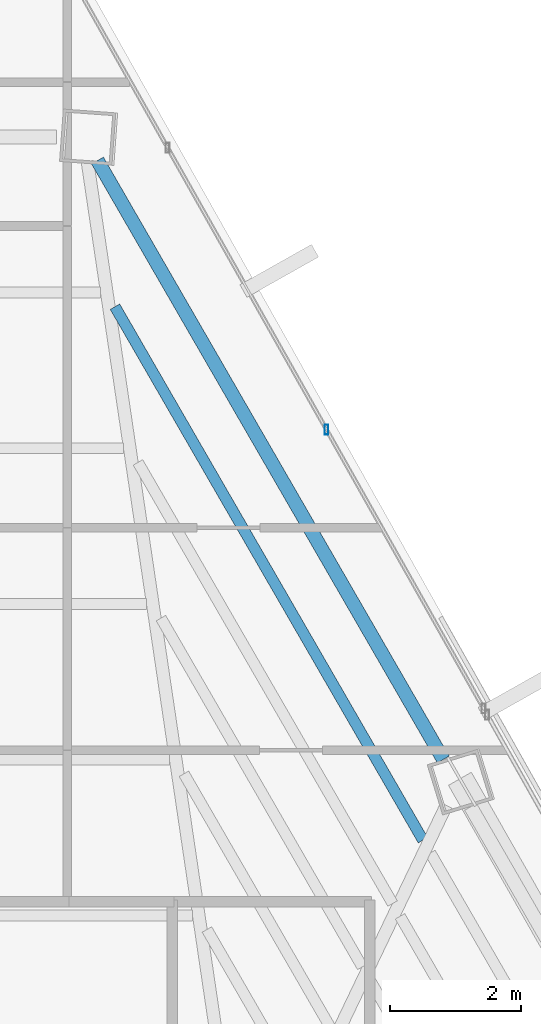
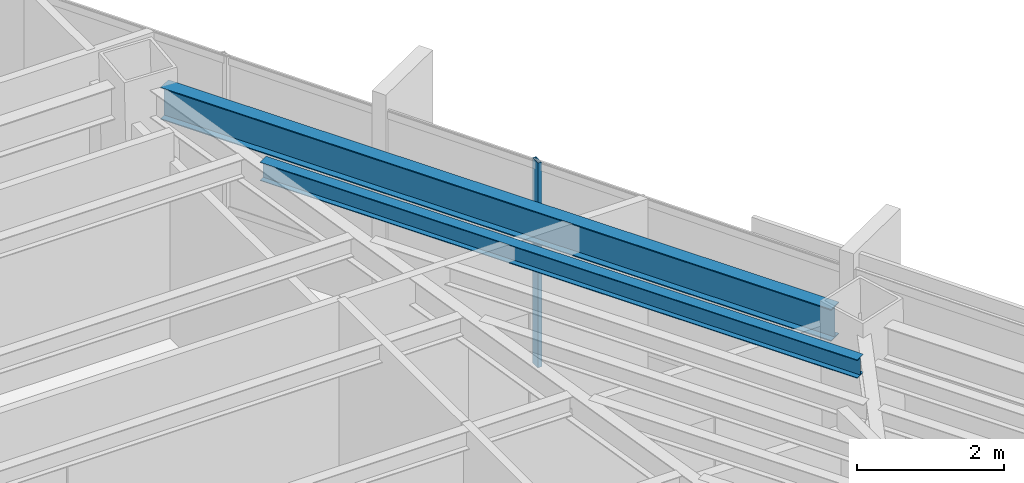
# One storey, part 32 of 42: 2 beams, 1 member, 1 element without a shape of its own.
"""IFC4 building model written with IfcOpenShell, lengths in metres."""

from ifc_helpers import new_model, si_unit, direction, frame, origin, origin_2d, place, context, subcontext, project, spatial, hollow_rectangle, i_section, extrude, source, transform, mapped, material, material_profile, profile_set, type_object, type_shapes, element, aggregate, save


model = new_model("IFC4")

# Units and contexts
model_context = context("Model", 3, precision=1e-05, world=origin(), true_north=direction((0.0, 1.0)))
body_context = subcontext(model_context, "Body", "Model", "MODEL_VIEW")
ifc_project = project(units=[si_unit("LENGTHUNIT", "METRE"), si_unit("AREAUNIT", "SQUARE_METRE"), si_unit("VOLUMEUNIT", "CUBIC_METRE"), si_unit("PLANEANGLEUNIT", "RADIAN"), si_unit("MASSUNIT", "GRAM", prefix="KILO")], contexts=[model_context])

# Site, building, storey
site_placement = place(None, origin())
site = spatial("IfcSite", under=ifc_project, at=site_placement, CompositionType="ELEMENT")
building_placement = place(site_placement, origin())
building = spatial("IfcBuilding", under=site, at=building_placement, Name="Caelisora Broadcast Tower", CompositionType="ELEMENT")
storey_placement = place(building_placement, frame((0.0, 0.0, 202.300048828125)))
storey = spatial("IfcBuildingStorey", under=building, at=storey_placement, Name="L53", CompositionType="ELEMENT", Elevation=202.300048828125)

# Beams
ifc_material_1 = material(Name="Steel Grade 350 (AS/NZS 3679.1)", Category="steel")
ifc_material_profile_1 = material_profile(ifc_material_1, i_section(OverallWidth=0.208984375, OverallDepth=0.532958984375, WebThickness=0.01025390625, FlangeThickness=0.015625, at=origin_2d()), Name="Steel Grade 350 (AS/NZS 3679.1)")
ifc_profile_set_1 = profile_set([ifc_material_profile_1], Name="Steel Grade 350 (AS/NZS 3679.1)")
beam_type_1 = type_object("IfcBeamType", Name="PG05", PredefinedType="BEAM", material=ifc_profile_set_1)
shared_shape_1 = source(origin(), body_context, "Body", "SweptSolid", [
    extrude(i_section(OverallWidth=0.208984375, OverallDepth=0.532958984375, WebThickness=0.01025390625, FlangeThickness=0.015625, at=origin_2d()), origin(), (0.0, 0.0, 1.0), 10.524169921875),
])
type_shapes(beam_type_1, [shared_shape_1])
beam_1_placement = place(storey_placement, frame((48.521240234375, 37.111328125, 3.133544921875), z_axis=(-0.500006259065, 0.866021790081, 0.0), x_axis=(-0.866021790081, -0.500006259065, 0.0)))
element("IfcBeam", 1, at=beam_1_placement, inside=storey, type_object=beam_type_1, Name="L53 beam PG05", PredefinedType="BEAM", context=body_context, shape_type="MappedRepresentation", body=[
    mapped(shared_shape_1, transform((0.0, 0.0, 0.0), scale=1.0)),
])
ifc_material_profile_2 = material_profile(ifc_material_1, i_section(OverallWidth=0.166015625, OverallDepth=0.30712890625, WebThickness=0.006591796875, FlangeThickness=0.01171875, at=origin_2d()), Name="Steel Grade 350 (AS/NZS 3679.1)")
ifc_profile_set_2 = profile_set([ifc_material_profile_2], Name="Steel Grade 350 (AS/NZS 3679.1)")
beam_type_2 = type_object("IfcBeamType", Name="SB03", PredefinedType="JOIST", material=ifc_profile_set_2)
shared_shape_2 = source(origin(), body_context, "Body", "SweptSolid", [
    extrude(i_section(OverallWidth=0.166015625, OverallDepth=0.30712890625, WebThickness=0.006591796875, FlangeThickness=0.01171875, at=origin_2d()), origin(), (0.0, 0.0, 1.0), 9.373046875),
])
type_shapes(beam_type_2, [shared_shape_2])
beam_2_placement = place(storey_placement, frame((48.211669921875, 35.88427734375, 3.246337890625), z_axis=(-0.500005045038, 0.866022491011, 0.0), x_axis=(-0.866022491011, -0.500005045038, 0.0)))
element("IfcBeam", 2, at=beam_2_placement, inside=storey, type_object=beam_type_2, Name="L53 beam SB03", PredefinedType="JOIST", context=body_context, shape_type="MappedRepresentation", body=[
    mapped(shared_shape_2, transform((0.0, 0.0, 0.0), scale=1.0)),
])

# Curtain wall, member
ifc_material_2 = material(Name="Unitised Aluminium and Low-E Glass Curtain Wall", Category="glass")
curtain_wall_type = type_object("IfcCurtainWallType", Name="CW-Z4", PredefinedType="NOTDEFINED", material=ifc_material_2)
curtain_wall_placement = place(storey_placement, origin())
curtain_wall = element("IfcCurtainWall", 3, at=curtain_wall_placement, inside=storey, type_object=curtain_wall_type, Name="L53 curtain wall CW-Z4", PredefinedType="NOTDEFINED")
ifc_material_3 = material(Name="Aluminium 6063-T6 Anodised Terracotta Bronze", Category="aluminium")
ifc_material_profile_3 = material_profile(ifc_material_3, hollow_rectangle(XDim=0.06005859375, YDim=0.14990234375, WallThickness=0.00341796875, at=origin_2d()), Name="Aluminium 6063-T6 Anodised Terracotta Bronze")
ifc_profile_set_3 = profile_set([ifc_material_profile_3], Name="Aluminium 6063-T6 Anodised Terracotta Bronze")
member_type = type_object("IfcMemberType", Name="CWM-03", PredefinedType="MULLION", material=ifc_profile_set_3)
shared_shape_3 = source(origin(), body_context, "Body", "SweptSolid", [
    extrude(hollow_rectangle(XDim=0.06005859375, YDim=0.14990234375, WallThickness=0.00341796875, at=origin_2d()), origin(), (0.0, 0.0, 1.0), 3.39990234375),
])
type_shapes(member_type, [shared_shape_3])
member_placement = place(storey_placement, frame((46.744384765625, 42.130615234375, 0.0), z_axis=(0.0, 0.0, 1.0), x_axis=(1.0, 0.0, 0.0)))
member = element("IfcMember", 4, at=member_placement, type_object=member_type, Name="L53-CW-B01 mullion #2", PredefinedType="MULLION", context=body_context, shape_type="MappedRepresentation", body=[
    mapped(shared_shape_3, transform((0.0, 0.0, 0.0), scale=1.0)),
])
aggregate(curtain_wall, [member])

save(model, "model.ifc")
